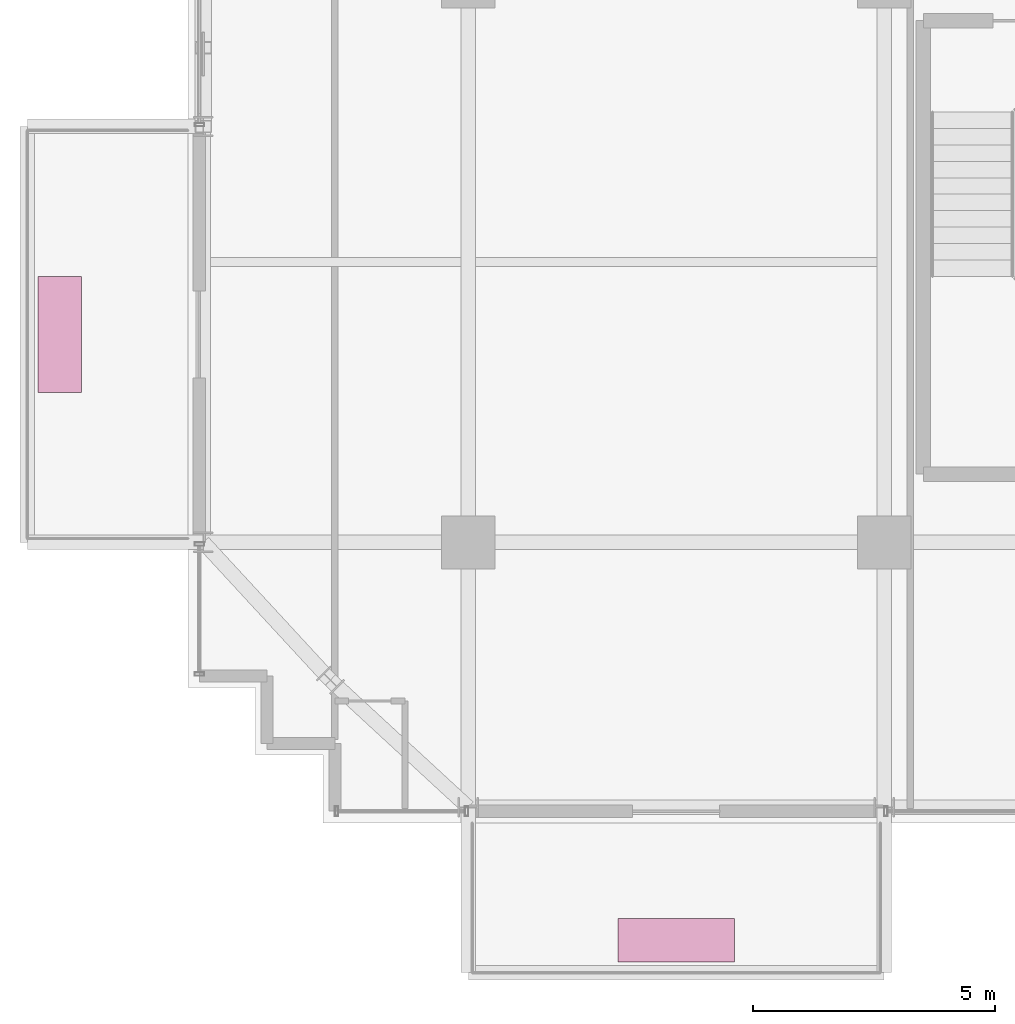
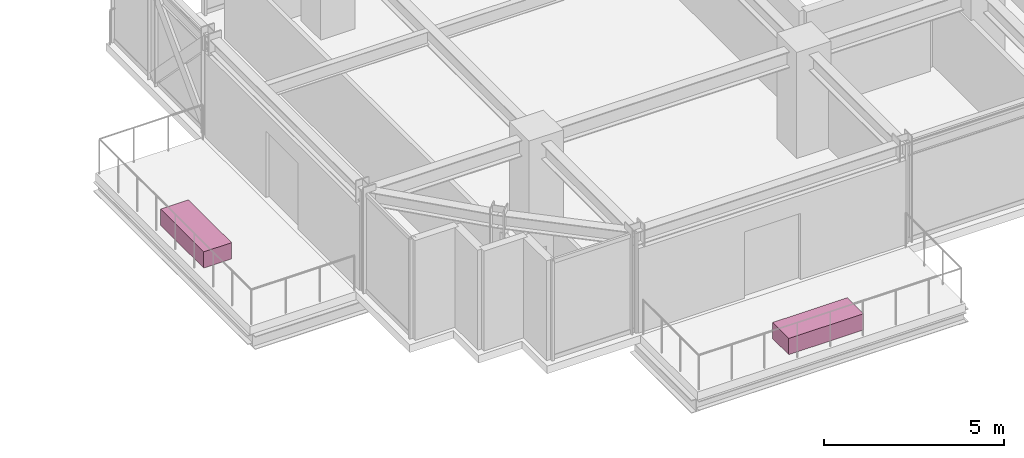
# One storey, part 36 of 36: 2 furnishings.
"""IFC4 building model written with IfcOpenShell, lengths in metres."""

from ifc_helpers import new_model, si_unit, direction, frame, origin, origin_2d, place, context, subcontext, project, spatial, rectangle, extrude, source, transform, mapped, material, type_object, element, save


model = new_model("IFC4")

# Units and contexts
model_context = context("Model", 3, precision=1e-05, world=origin(), true_north=direction((0.0, 1.0)))
body_context = subcontext(model_context, "Body", "Model", "MODEL_VIEW")
ifc_project = project(units=[si_unit("LENGTHUNIT", "METRE"), si_unit("AREAUNIT", "SQUARE_METRE"), si_unit("VOLUMEUNIT", "CUBIC_METRE"), si_unit("PLANEANGLEUNIT", "RADIAN"), si_unit("MASSUNIT", "GRAM", prefix="KILO")], contexts=[model_context])

# Site, building, storey
site_placement = place(None, origin())
site = spatial("IfcSite", under=ifc_project, at=site_placement, CompositionType="ELEMENT")
building_placement = place(site_placement, origin())
building = spatial("IfcBuilding", under=site, at=building_placement, Name="Nahalor Promenade Grand Hotel", CompositionType="ELEMENT")
storey_placement = place(building_placement, frame((0.0, 0.0, 170.89990234375)))
storey = spatial("IfcBuildingStorey", under=building, at=storey_placement, Name="L43", CompositionType="ELEMENT", Elevation=170.89990234375)

# Furnishings
ifc_material = material(Name="Vegetated Volcanic-Lapilli Tree Planter", Category="earth")
furnishing_element_type = type_object("IfcFurnishingElementType", Name="Planter-VerticalForest-Box", material=ifc_material)
shared_shape = source(origin(), body_context, "Body", "SweptSolid", [
    extrude(rectangle(XDim=2.39990234375, YDim=0.89990234375, at=origin_2d()), origin(), (0.0, 0.0, 1.0), 0.550048828125),
])
for number, where, z_axis, x_axis, name in (
    (1, (-12.699951171875, -25.22998046875, 0.0), (0.0, 0.0, 1.0), (1.0, 0.0, 0.0), "L43 Balcony Structural Tree Planter 1"),
    (2, (-25.449951171875, -12.699951171875, 0.0), (0.0, 0.0, 1.0), (0.0, 1.0, 0.0), "L43 Balcony Structural Tree Planter 2"),
):
    element("IfcFurnishingElement", number, at=place(storey_placement, frame(where, z_axis=z_axis, x_axis=x_axis)), inside=storey, type_object=furnishing_element_type, Name=name, ObjectType="PLANTER", context=body_context, shape_type="MappedRepresentation", body=[
        mapped(shared_shape, transform((0.0, 0.0, 0.0), scale=1.0)),
    ])

save(model, "model.ifc")
